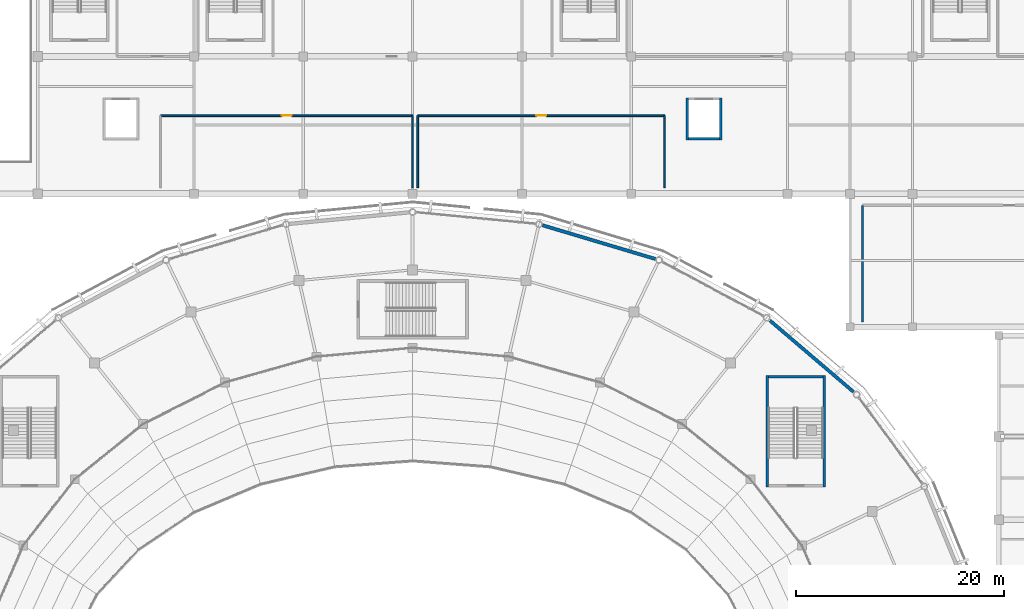
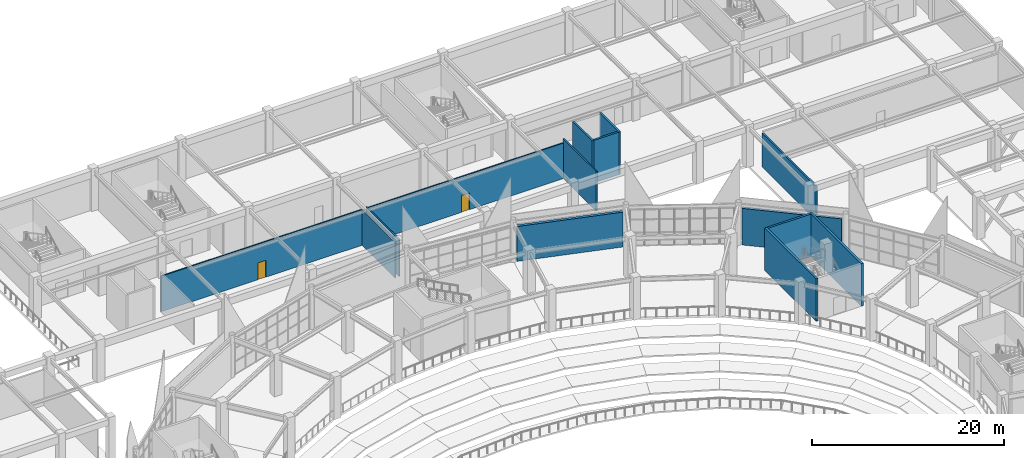
# One storey, part 80 of 120: 14 walls, 2 doors, 2 openings.
"""IFC4 building model written with IfcOpenShell, lengths in metres."""

from ifc_helpers import new_model, si_unit, direction, frame, frame_2d, origin, place, context, subcontext, project, spatial, rectangle, extrude, material, layer, layer_set, type_object, element, fill, save


model = new_model("IFC4")

# Units and contexts
model_context = context("Model", 3, precision=1e-05, world=origin(), true_north=direction((0.0, 1.0)))
body_context = subcontext(model_context, "Body", "Model", "MODEL_VIEW")
ifc_project = project(units=[si_unit("LENGTHUNIT", "METRE"), si_unit("AREAUNIT", "SQUARE_METRE"), si_unit("VOLUMEUNIT", "CUBIC_METRE"), si_unit("PLANEANGLEUNIT", "RADIAN"), si_unit("MASSUNIT", "GRAM", prefix="KILO")], contexts=[model_context])

# Site, building, storey
site_placement = place(None, origin())
site = spatial("IfcSite", under=ifc_project, at=site_placement, CompositionType="ELEMENT")
building_placement = place(site_placement, origin())
building = spatial("IfcBuilding", under=site, at=building_placement, Name="Cuetzalor Civic Arena", CompositionType="ELEMENT")
storey_placement = place(building_placement, frame((0.0, 0.0, 6.0)))
storey = spatial("IfcBuildingStorey", under=building, at=storey_placement, Name="L01", CompositionType="ELEMENT", Elevation=6.0)

# Wall, opening, door
ifc_material_1 = material(Name="Acoustic steel-stud gypsum partition", Category="steel")
ifc_layer_1 = layer(ifc_material_1, 0.14990234375)
ifc_layer_set_1 = layer_set([ifc_layer_1], Name="Acoustic steel-stud gypsum partition")
wall_type_1 = type_object("IfcWallType", Name="AcousticGypsumPartition_150", PredefinedType="PARTITIONING", material=ifc_layer_set_1)
wall_1_placement = place(storey_placement, frame((-24.199951171875, 55.800048828125, 0.0), z_axis=(0.0, 0.0, 1.0), x_axis=(1.0, 0.0, 0.0)))
wall_1 = element("IfcWall", 1, at=wall_1_placement, inside=storey, type_object=wall_type_1, Name="Interior Partition IWALL:L01:0252", PredefinedType="PARTITIONING", context=body_context, shape_type="SweptSolid", body=[
    extrude(rectangle(XDim=24.199951171875, YDim=0.14990234375, at=frame_2d((12.10009765625, 0.0))), origin(), (0.0, 0.0, 1.0), 4.52197265625),
])
opening_1_placement = place(wall_1_placement, frame((11.625, 0.0, 0.0)))
opening_1 = element("IfcOpeningElement", 2, at=opening_1_placement, cuts=wall_1, Name="Opening ID-03", PredefinedType="OPENING", context=body_context, shape_type="SweptSolid", body=[
    extrude(rectangle(XDim=0.949951171875, YDim=2.14990234375, at=frame_2d((0.47509765625, 1.074951171875))), frame((0.0, 0.0849609375, 0.0), z_axis=(0.0, -1.0, 0.0), x_axis=(1.0, 0.0, 0.0)), (0.0, 0.0, 1.0), 0.169921875),
])
ifc_material_2 = material(Name="Painted steel frame and solid timber leaf", Category="steel")
door_type = type_object("IfcDoorType", Name="InteriorSingleDoor_950x2150", OperationType="NOTDEFINED", PredefinedType="DOOR", material=ifc_material_2)
door_1_placement = place(opening_1_placement, origin())
door_1 = element("IfcDoor", 3, at=door_1_placement, inside=storey, type_object=door_type, Name="Door to Event Technical Workshop", OperationType="SINGLE_SWING_LEFT", OverallHeight=2.14990234375, OverallWidth=0.949951171875, PredefinedType="DOOR", context=body_context, shape_type="SweptSolid", body=[
    extrude(rectangle(XDim=0.949951171875, YDim=2.14990234375, at=frame_2d((0.47509765625, 1.074951171875))), frame((0.0, 0.02490234375, 0.0), z_axis=(0.0, -1.0, 0.0), x_axis=(1.0, 0.0, 0.0)), (0.0, 0.0, 1.0), 0.050048828125),
])
fill(opening_1, door_1)

# Wall
wall_2_placement = place(storey_placement, frame((0.0, 55.800048828125, 0.0), z_axis=(0.0, 0.0, 1.0), x_axis=(0.0, -1.0, 0.0)))
element("IfcWall", 4, at=wall_2_placement, inside=storey, type_object=wall_type_1, Name="Interior Partition IWALL:L01:0253", PredefinedType="PARTITIONING", context=body_context, shape_type="SweptSolid", body=[
    extrude(rectangle(XDim=6.900146484375, YDim=0.14990234375, at=frame_2d((3.4501953125, 0.0))), origin(), (0.0, 0.0, 1.0), 4.52197265625),
])

# Wall, opening, door
wall_3_placement = place(storey_placement, frame((0.5, 55.800048828125, 0.0), z_axis=(0.0, 0.0, 1.0), x_axis=(1.0, 0.0, 0.0)))
wall_3 = element("IfcWall", 5, at=wall_3_placement, inside=storey, type_object=wall_type_1, Name="Interior Partition IWALL:L01:0255", PredefinedType="PARTITIONING", context=body_context, shape_type="SweptSolid", body=[
    extrude(rectangle(XDim=23.699951171875, YDim=0.14990234375, at=frame_2d((11.85009765625, 0.0))), origin(), (0.0, 0.0, 1.0), 4.52197265625),
])
opening_2_placement = place(wall_3_placement, frame((11.375, 0.0, 0.0)))
opening_2 = element("IfcOpeningElement", 6, at=opening_2_placement, cuts=wall_3, Name="Opening ID-03", PredefinedType="OPENING", context=body_context, shape_type="SweptSolid", body=[
    extrude(rectangle(XDim=0.949951171875, YDim=2.14990234375, at=frame_2d((0.47509765625, 1.074951171875))), frame((0.0, 0.0849609375, 0.0), z_axis=(0.0, -1.0, 0.0), x_axis=(1.0, 0.0, 0.0)), (0.0, 0.0, 1.0), 0.169921875),
])
door_2_placement = place(opening_2_placement, origin())
door_2 = element("IfcDoor", 7, at=door_2_placement, inside=storey, type_object=door_type, Name="Door to Concession Dry Storage L01", OperationType="SINGLE_SWING_RIGHT", OverallHeight=2.14990234375, OverallWidth=0.949951171875, PredefinedType="DOOR", context=body_context, shape_type="SweptSolid", body=[
    extrude(rectangle(XDim=0.949951171875, YDim=2.14990234375, at=frame_2d((0.47509765625, 1.074951171875))), frame((0.0, 0.02490234375, 0.0), z_axis=(0.0, -1.0, 0.0), x_axis=(1.0, 0.0, 0.0)), (0.0, 0.0, 1.0), 0.050048828125),
])
fill(opening_2, door_2)

# Walls
wall_4_placement = place(storey_placement, frame((24.199951171875, 55.800048828125, 0.0), z_axis=(0.0, 0.0, 1.0), x_axis=(0.0, -1.0, 0.0)))
element("IfcWall", 8, at=wall_4_placement, inside=storey, type_object=wall_type_1, Name="Interior Partition IWALL:L01:0256", PredefinedType="PARTITIONING", context=body_context, shape_type="SweptSolid", body=[
    extrude(rectangle(XDim=6.900146484375, YDim=0.14990234375, at=frame_2d((3.4501953125, 0.0))), origin(), (0.0, 0.0, 1.0), 5.0400390625),
])
wall_5_placement = place(storey_placement, frame((0.5, 48.89990234375, 0.0), z_axis=(0.0, 0.0, 1.0), x_axis=(0.0, 1.0, 0.0)))
element("IfcWall", 9, at=wall_5_placement, inside=storey, type_object=wall_type_1, Name="Interior Partition IWALL:L01:0257", PredefinedType="PARTITIONING", context=body_context, shape_type="SweptSolid", body=[
    extrude(rectangle(XDim=6.900146484375, YDim=0.14990234375, at=frame_2d((3.4501953125, 0.0))), origin(), (0.0, 0.0, 1.0), 4.699951171875),
])
ifc_material_3 = material(Name="Concrete C40/50", Category="concrete")
ifc_layer_2 = layer(ifc_material_3, 0.25)
ifc_layer_set_2 = layer_set([ifc_layer_2], Name="Concrete C40/50")
wall_type_2 = type_object("IfcWallType", Name="ConcreteCoreShearWall_250", PredefinedType="SHEAR", material=ifc_layer_set_2)
wall_6_placement = place(storey_placement, frame((34.074951171875, 20.14990234375, 0.0), z_axis=(0.0, 0.0, 1.0), x_axis=(0.0, 1.0, 0.0)))
element("IfcWall", 10, at=wall_6_placement, inside=storey, type_object=wall_type_2, Name="Stair Core Shear Wall ST-02-L01-W", PredefinedType="SHEAR", context=body_context, shape_type="SweptSolid", body=[
    extrude(rectangle(XDim=10.7001953125, YDim=0.25, at=frame_2d((5.35009765625, 0.0))), origin(), (0.0, 0.0, 1.0), 5.39990234375),
])
wall_7_placement = place(storey_placement, frame((34.199951171875, 30.72509765625, 0.0), z_axis=(0.0, 0.0, 1.0), x_axis=(1.0, 0.0, 0.0)))
element("IfcWall", 11, at=wall_7_placement, inside=storey, type_object=wall_type_2, Name="Stair Core Shear Wall ST-02-L01-N", PredefinedType="SHEAR", context=body_context, shape_type="SweptSolid", body=[
    extrude(rectangle(XDim=5.199951171875, YDim=0.25, at=frame_2d((2.60009765625, 0.0))), origin(), (0.0, 0.0, 1.0), 5.39990234375),
])
wall_8_placement = place(storey_placement, frame((39.52490234375, 30.85009765625, 0.0), z_axis=(0.0, 0.0, 1.0), x_axis=(0.0, -1.0, 0.0)))
element("IfcWall", 12, at=wall_8_placement, inside=storey, type_object=wall_type_2, Name="Stair Core Shear Wall ST-02-L01-E", PredefinedType="SHEAR", context=body_context, shape_type="SweptSolid", body=[
    extrude(rectangle(XDim=10.7001953125, YDim=0.25, at=frame_2d((5.35009765625, 0.0))), origin(), (0.0, 0.0, 1.0), 5.39990234375),
])
ifc_material_4 = material(Name="Fire-rated masonry and gypsum partition", Category="masonry")
ifc_layer_3 = layer(ifc_material_4, 0.199951171875)
ifc_layer_set_3 = layer_set([ifc_layer_3], Name="Fire-rated masonry and gypsum partition")
wall_type_3 = type_object("IfcWallType", Name="FireCompartmentWall_200", PredefinedType="PARTITIONING", material=ifc_layer_set_3)
wall_9_placement = place(storey_placement, frame((43.199951171875, 36.0, 0.0), z_axis=(0.0, 0.0, 1.0), x_axis=(0.0, 1.0, 0.0)))
element("IfcWall", 13, at=wall_9_placement, inside=storey, type_object=wall_type_3, Name="Interior Partition IWALL:L01:0259", PredefinedType="PARTITIONING", context=body_context, shape_type="SweptSolid", body=[
    extrude(rectangle(XDim=11.199951171875, YDim=0.199951171875, at=frame_2d((5.60009765625, 0.0))), origin(), (0.0, 0.0, 1.0), 4.304931640625),
])
ifc_material_5 = material(Name="Precast concrete C40/50 insulated cladding", Category="concrete")
ifc_layer_4 = layer(ifc_material_5, 0.320068359375)
ifc_layer_set_4 = layer_set([ifc_layer_4], Name="Precast concrete C40/50 insulated cladding")
wall_type_4 = type_object("IfcWallType", Name="InsulatedPrecastWall_320", PredefinedType="SOLIDWALL", material=ifc_layer_set_4)
wall_10_placement = place(storey_placement, frame((34.32470703125, 36.126953125, 0.0), z_axis=(0.0, 0.0, 1.0), x_axis=(0.760681761173, -0.649124994296, 0.0)))
element("IfcWall", 14, at=wall_10_placement, inside=storey, type_object=wall_type_4, Name="Drum Acoustic Backing Wall L01-011", PredefinedType="SOLIDWALL", context=body_context, shape_type="SweptSolid", body=[
    extrude(rectangle(XDim=10.531005859375, YDim=0.320068359375, at=frame_2d((5.265625, 0.0))), origin(), (0.0, 0.0, 1.0), 4.653076171875),
])
wall_11_placement = place(storey_placement, frame((12.48486328125, 45.279541015625, 0.0), z_axis=(0.0, 0.0, 1.0), x_axis=(0.958192076012, -0.286125751144, 0.0)))
element("IfcWall", 15, at=wall_11_placement, inside=storey, type_object=wall_type_4, Name="Drum Acoustic Backing Wall L01-012", PredefinedType="SOLIDWALL", context=body_context, shape_type="SweptSolid", body=[
    extrude(rectangle(XDim=11.31005859375, YDim=0.320068359375, at=frame_2d((5.655029296875, 0.0))), origin(), (0.0, 0.0, 1.0), 4.431884765625),
])
ifc_material_6 = material(Name="Concrete C40/50", Category="concrete")
ifc_layer_5 = layer(ifc_material_6, 0.219970703125)
ifc_layer_set_5 = layer_set([ifc_layer_5], Name="Concrete C40/50")
wall_type_5 = type_object("IfcWallType", Name="LiftShaftShearWall_220", PredefinedType="SHEAR", material=ifc_layer_set_5)
for number, where, z_axis, x_axis, name in (
    (16, (26.389892578125, 53.47998046875, 0.0), (0.0, 0.0, 1.0), (0.0, 1.0, 0.0), "Lift Shaft Wall LS-02-L01-W"),
    (17, (29.610107421875, 57.52001953125, 0.0), (0.0, 0.0, 1.0), (0.0, -1.0, 0.0), "Lift Shaft Wall LS-02-L01-E"),
):
    element("IfcWall", number, at=place(storey_placement, frame(where, z_axis=z_axis, x_axis=x_axis)), inside=storey, type_object=wall_type_5, Name=name, PredefinedType="SHEAR", context=body_context, shape_type="SweptSolid", body=[
        extrude(rectangle(XDim=4.0400390625, YDim=0.219970703125, at=frame_2d((2.02001953125, 0.0))), origin(), (0.0, 0.0, 1.0), 5.39990234375),
    ])
wall_12_placement = place(storey_placement, frame((29.5, 53.590087890625, 0.0), z_axis=(0.0, 0.0, 1.0), x_axis=(-1.0, 0.0, 0.0)))
element("IfcWall", 18, at=wall_12_placement, inside=storey, type_object=wall_type_5, Name="Lift Shaft Wall LS-02-L01-S", PredefinedType="SHEAR", context=body_context, shape_type="SweptSolid", body=[
    extrude(rectangle(XDim=3.0, YDim=0.219970703125, at=frame_2d((1.5, 0.0))), origin(), (0.0, 0.0, 1.0), 5.39990234375),
])

save(model, "model.ifc")
